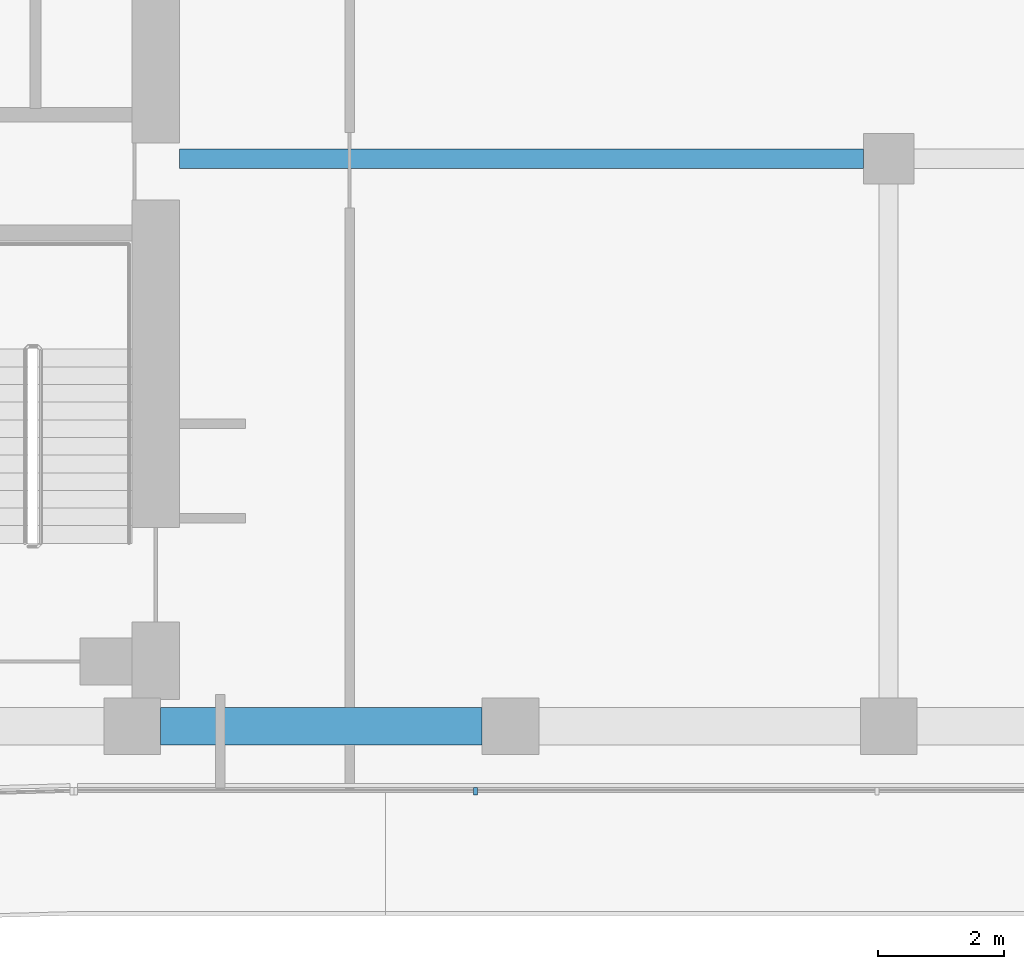
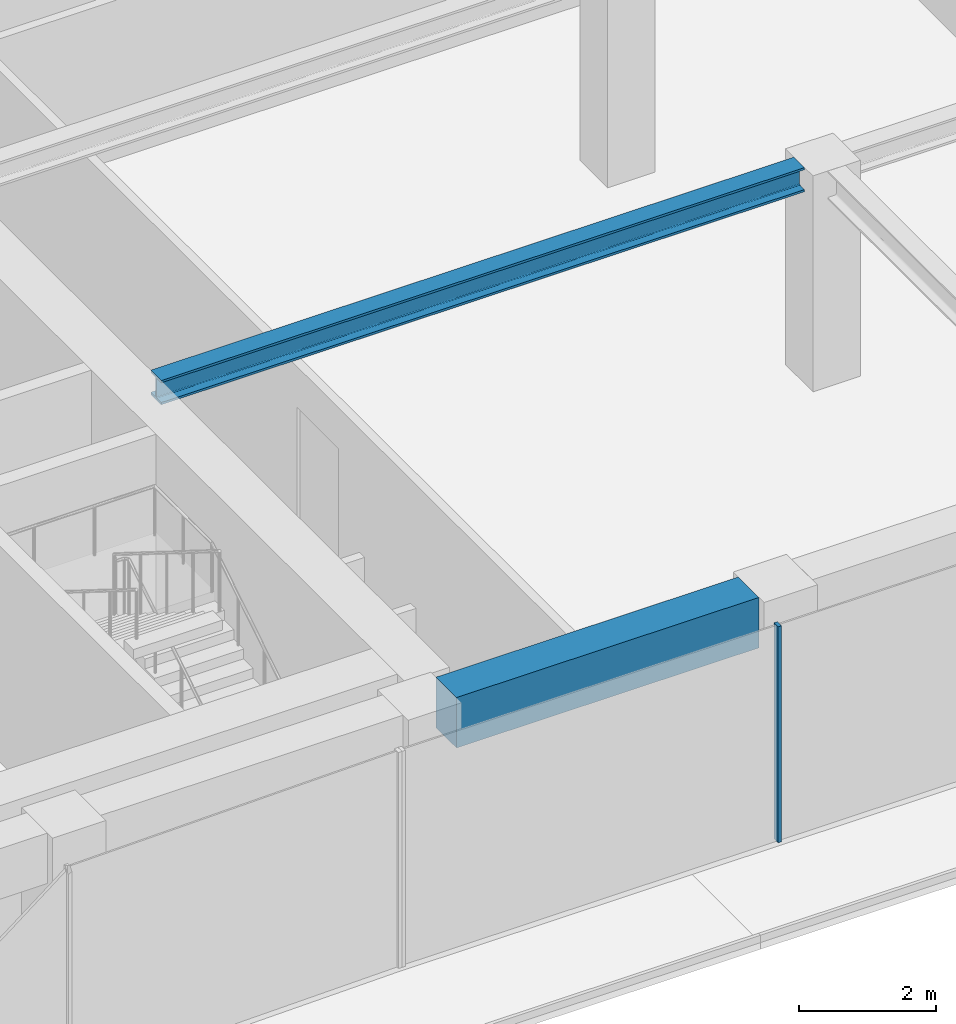
# One storey, part 3 of 23: 2 beams, 1 member, 1 element without a shape of its own.
"""IFC4 building model written with IfcOpenShell, lengths in metres."""

from ifc_helpers import new_model, si_unit, direction, frame, origin, origin_2d, place, context, subcontext, project, spatial, rectangle, i_section, extrude, material, layer, layer_set, material_profile, profile_set, type_object, element, aggregate, save


model = new_model("IFC4")

# Units and contexts
model_context = context("Model", 3, precision=1e-05, world=origin(), true_north=direction((0.0, 1.0)))
body_context = subcontext(model_context, "Body", "Model", "MODEL_VIEW")
ifc_project = project(units=[si_unit("LENGTHUNIT", "METRE"), si_unit("AREAUNIT", "SQUARE_METRE"), si_unit("VOLUMEUNIT", "CUBIC_METRE"), si_unit("PLANEANGLEUNIT", "RADIAN"), si_unit("MASSUNIT", "GRAM", prefix="KILO")], contexts=[model_context])

# Site, building, storey
site_placement = place(None, origin())
site = spatial("IfcSite", under=ifc_project, at=site_placement, CompositionType="ELEMENT")
building_placement = place(site_placement, origin())
building = spatial("IfcBuilding", under=site, at=building_placement, Name="Welwitschia Terrace Campus", CompositionType="ELEMENT")
storey_placement = place(building_placement, frame((0.0, 0.0, 104.60009765625)))
storey = spatial("IfcBuildingStorey", under=building, at=storey_placement, Name="L23", CompositionType="ELEMENT", Elevation=104.60009765625)

# Beam
ifc_material_1 = material(Name="Steel S355", Category="steel")
ifc_material_profile_1 = material_profile(ifc_material_1, i_section(OverallWidth=0.306884765625, OverallDepth=0.431884765625, WebThickness=0.02099609375, FlangeThickness=0.0400390625, FilletRadius=0.027099609375, at=origin_2d()))
ifc_profile_set_1 = profile_set([ifc_material_profile_1], Name="Steel S355")
beam_type_1 = type_object("IfcBeamType", Name="Interior girder HE 400 M", PredefinedType="BEAM", material=ifc_profile_set_1)
beam_1_placement = place(storey_placement, frame((24.7509765625, 13.0, 3.6337890625), z_axis=(1.0, 0.0, 0.0), x_axis=(0.0, 1.0, 0.0)))
element("IfcBeam", 1, at=beam_1_placement, inside=storey, type_object=beam_type_1, Name="Girder GB3", PredefinedType="BEAM", context=body_context, shape_type="SweptSolid", body=[
    extrude(i_section(OverallWidth=0.306884765625, OverallDepth=0.431884765625, WebThickness=0.02099609375, FlangeThickness=0.0400390625, FilletRadius=0.027099609375, at=origin_2d()), origin(), (0.0, 0.0, 1.0), 10.8486328125),
])

# Curtain wall, member
ifc_material_2 = material(Name="Bronze anodised aluminium", Category="aluminium")
ifc_layer = layer(ifc_material_2, 0.1201171875)
ifc_layer_set = layer_set([ifc_layer], Name="Bronze anodised aluminium")
curtain_wall_type = type_object("IfcCurtainWallType", Name="Curtain wall CW2 tower 6000", PredefinedType="NOTDEFINED", material=ifc_layer_set)
curtain_wall_placement = place(storey_placement, origin())
curtain_wall = element("IfcCurtainWall", 2, at=curtain_wall_placement, inside=storey, type_object=curtain_wall_type, Name="CW L23.2.0", PredefinedType="NOTDEFINED")
ifc_material_3 = material(Name="Bronze anodised aluminium", Category="aluminium")
ifc_material_profile_2 = material_profile(ifc_material_3, rectangle(XDim=0.1201171875, YDim=0.06005859375, at=origin_2d()))
ifc_profile_set_2 = profile_set([ifc_material_profile_2], Name="Bronze anodised aluminium")
member_type = type_object("IfcMemberType", Name="Mullion 60x120", PredefinedType="MULLION", material=ifc_profile_set_2)
member_placement = place(storey_placement, frame((29.445556640625, 2.969970703125, 0.0), z_axis=(0.0, 0.0, 1.0), x_axis=(0.0, 1.0, 0.0)))
member = element("IfcMember", 3, at=member_placement, type_object=member_type, Name="Mullion L23.2.0.1", PredefinedType="MULLION", context=body_context, shape_type="SweptSolid", body=[
    extrude(rectangle(XDim=0.1201171875, YDim=0.06005859375, at=origin_2d()), origin(), (0.0, 0.0, 1.0), 3.849853515625),
])
aggregate(curtain_wall, [member])

# Beam
ifc_material_4 = material(Name="Concrete C60/75", Category="concrete")
ifc_material_profile_3 = material_profile(ifc_material_4, rectangle(XDim=0.60009765625, YDim=0.89990234375, at=origin_2d()))
ifc_profile_set_3 = profile_set([ifc_material_profile_3], Name="Concrete C60/75")
beam_type_2 = type_object("IfcBeamType", Name="Ring spandrel 600x900", PredefinedType="SPANDREL", material=ifc_profile_set_3)
beam_2_placement = place(storey_placement, frame((24.450439453125, 4.0, 3.39990234375), z_axis=(1.0, 0.0, 0.0), x_axis=(0.0, 1.0, 0.0)))
element("IfcBeam", 4, at=beam_2_placement, inside=storey, type_object=beam_type_2, Name="Spandrel SP2", PredefinedType="SPANDREL", context=body_context, shape_type="SweptSolid", body=[
    extrude(rectangle(XDim=0.60009765625, YDim=0.89990234375, at=origin_2d()), origin(), (0.0, 0.0, 1.0), 5.09912109375),
])

save(model, "model.ifc")
